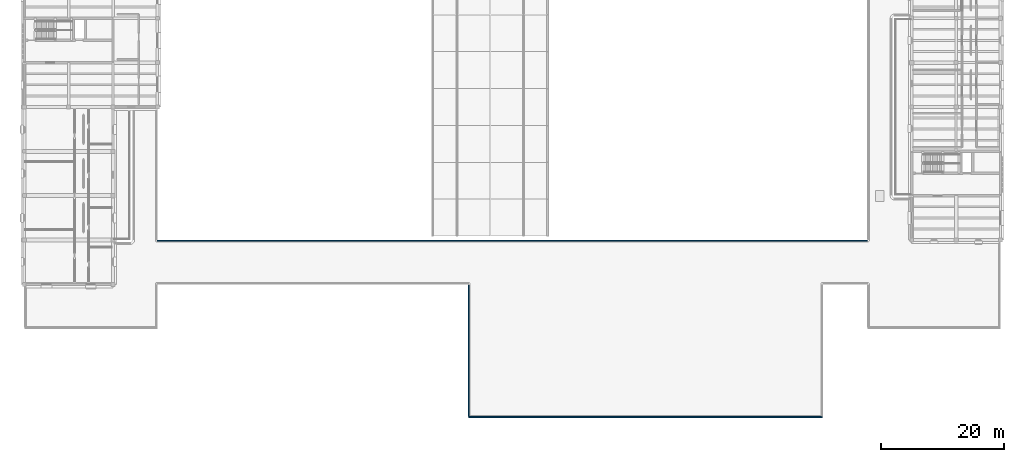
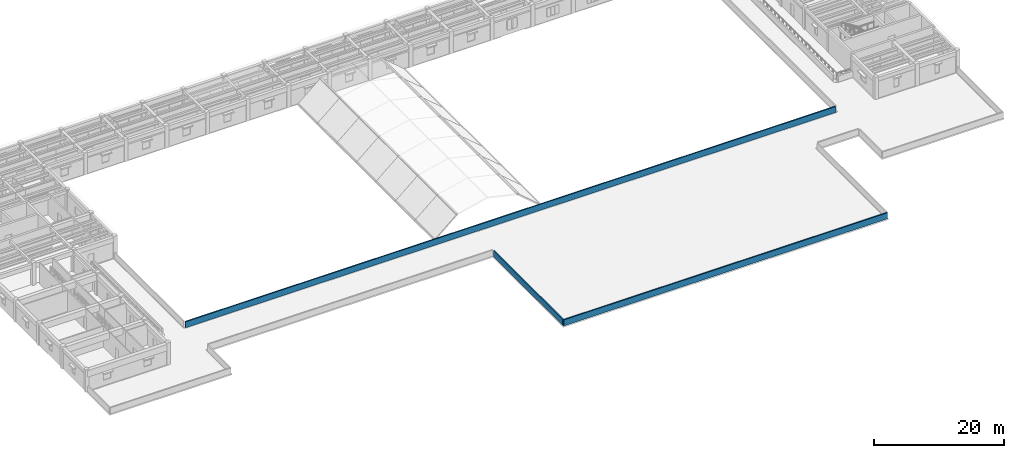
# One storey, part 21 of 40: 3 walls.
"""IFC4 building model written with IfcOpenShell, lengths in metres."""

from ifc_helpers import new_model, si_unit, direction, frame, frame_2d, origin, place, context, subcontext, project, spatial, rectangle, extrude, material, layer, layer_set, type_object, element, save


model = new_model("IFC4")

# Units and contexts
model_context = context("Model", 3, precision=1e-05, world=origin(), true_north=direction((0.0, 1.0)))
body_context = subcontext(model_context, "Body", "Model", "MODEL_VIEW")
ifc_project = project(units=[si_unit("LENGTHUNIT", "METRE"), si_unit("AREAUNIT", "SQUARE_METRE"), si_unit("VOLUMEUNIT", "CUBIC_METRE"), si_unit("PLANEANGLEUNIT", "RADIAN"), si_unit("MASSUNIT", "GRAM", prefix="KILO")], contexts=[model_context])

# Site, building, storey
site_placement = place(None, origin())
site = spatial("IfcSite", under=ifc_project, at=site_placement, CompositionType="ELEMENT")
building_placement = place(site_placement, origin())
building = spatial("IfcBuilding", under=site, at=building_placement, Name="Mithqara Police Headquarters", CompositionType="ELEMENT")
storey_placement = place(building_placement, frame((0.0, 0.0, 13.800048828125)))
storey = spatial("IfcBuildingStorey", under=building, at=storey_placement, Name="L03", CompositionType="ELEMENT", Elevation=13.800048828125)

# Walls
ifc_material = material(Name="Limestone ashlar masonry, 45 MPa", Category="masonry")
ifc_layer_1 = layer(ifc_material, 0.199951171875, Name="Limestone ashlar masonry, 45 MPa")
ifc_layer_set_1 = layer_set([ifc_layer_1], Name="Limestone ashlar masonry, 45 MPa")
wall_type_1 = type_object("IfcWallType", Name="PARAPET WALL 200", PredefinedType="PARAPET", material=ifc_layer_set_1)
wall_1_placement = place(storey_placement, frame((79.909912109375, 6.820068359375, 0.0), z_axis=(0.0, 0.0, 1.0), x_axis=(0.0, 1.0, 0.0)))
element("IfcWall", 1, at=wall_1_placement, inside=storey, type_object=wall_type_1, Name="L03 Limestone Roof Parapet ROOF-L02-00-332", PredefinedType="PARAPET", context=body_context, shape_type="SweptSolid", body=[
    extrude(rectangle(XDim=21.27001953125, YDim=0.199951171875, at=frame_2d((10.635009765625, 0.0))), origin(), (0.0, 0.0, 1.0), 1.119873046875),
])
ifc_layer_2 = layer(ifc_material, 0.219970703125, Name="Limestone ashlar masonry, 45 MPa")
ifc_layer_set_2 = layer_set([ifc_layer_2], Name="Limestone ashlar masonry, 45 MPa")
wall_type_2 = type_object("IfcWallType", Name="PARAPET WALL 220", PredefinedType="PARAPET", material=ifc_layer_set_2)
wall_2_placement = place(storey_placement, frame((29.39990234375, 35.2900390625, 0.0), z_axis=(0.0, 0.0, 1.0), x_axis=(1.0, 0.0, 0.0)))
element("IfcWall", 2, at=wall_2_placement, inside=storey, type_object=wall_type_2, Name="L03 Limestone Roof Parapet ROOF-L02-00-107", PredefinedType="PARAPET", context=body_context, shape_type="SweptSolid", body=[
    extrude(rectangle(XDim=115.2001953125, YDim=0.219970703125, at=frame_2d((57.60009765625, 0.0))), origin(), (0.0, 0.0, 1.0), 1.119873046875),
])
wall_3_placement = place(storey_placement, frame((137.2900390625, 6.7099609375, 0.0), z_axis=(0.0, 0.0, 1.0), x_axis=(-1.0, 0.0, 0.0)))
element("IfcWall", 3, at=wall_3_placement, inside=storey, type_object=wall_type_2, Name="L03 Limestone Roof Parapet ROOF-L02-00-331", PredefinedType="PARAPET", context=body_context, shape_type="SweptSolid", body=[
    extrude(rectangle(XDim=57.380126953125, YDim=0.219970703125, at=frame_2d((28.68994140625, 0.0))), origin(), (0.0, 0.0, 1.0), 1.119873046875),
])

save(model, "model.ifc")
